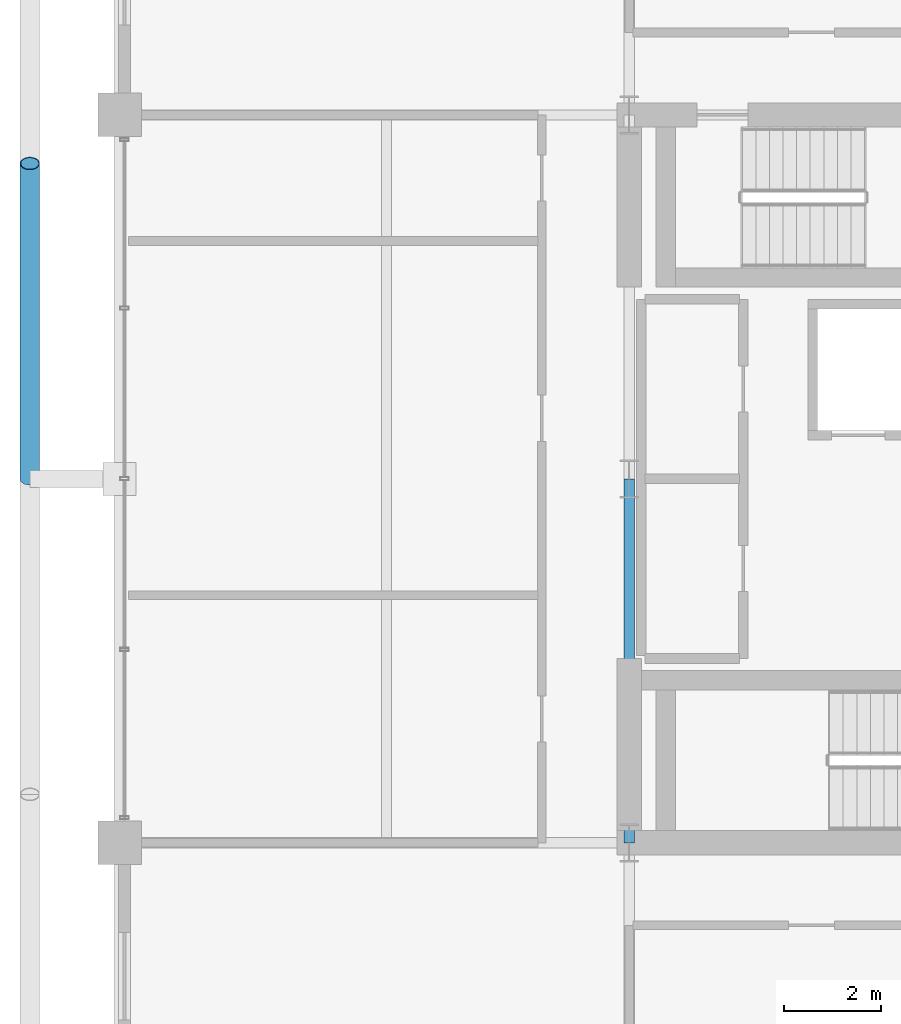
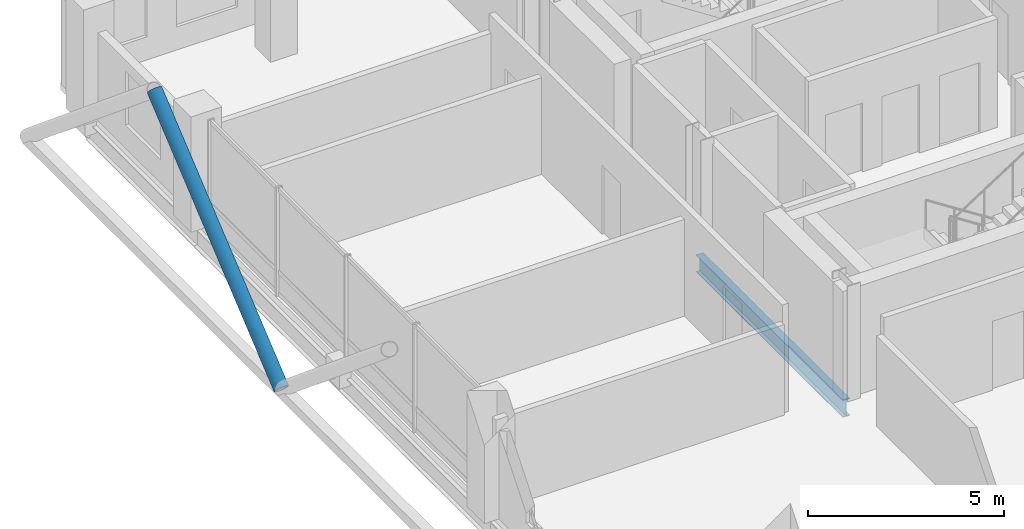
# One storey, part 9 of 24: 1 beam, 1 member.
"""IFC4 building model written with IfcOpenShell, lengths in metres."""

from ifc_helpers import new_model, si_unit, direction, frame, origin, origin_2d, place, context, subcontext, project, spatial, hollow_circle, i_section, extrude, material, material_profile, profile_set, type_object, element, save


model = new_model("IFC4")

# Units and contexts
model_context = context("Model", 3, precision=1e-05, world=origin(), true_north=direction((0.0, 1.0)))
body_context = subcontext(model_context, "Body", "Model", "MODEL_VIEW")
ifc_project = project(units=[si_unit("LENGTHUNIT", "METRE"), si_unit("AREAUNIT", "SQUARE_METRE"), si_unit("VOLUMEUNIT", "CUBIC_METRE"), si_unit("PLANEANGLEUNIT", "RADIAN"), si_unit("MASSUNIT", "GRAM", prefix="KILO")], contexts=[model_context])

# Site, building, storey
site_placement = place(None, origin())
site = spatial("IfcSite", under=ifc_project, at=site_placement, CompositionType="ELEMENT")
building_placement = place(site_placement, origin())
building = spatial("IfcBuilding", under=site, at=building_placement, Name="Barlavira Tower and Art Museum", CompositionType="ELEMENT")
storey_placement = place(building_placement, frame((0.0, 0.0, 272.699951171875)))
storey = spatial("IfcBuildingStorey", under=building, at=storey_placement, Name="L71", CompositionType="ELEMENT", Elevation=272.699951171875)

# Member
ifc_material = material(Name="Steel S355", Category="steel")
ifc_material_profile_1 = material_profile(ifc_material, hollow_circle(Radius=0.203125, WallThickness=0.01611328125, at=origin_2d()), Name="CHS 406.4x16.0")
ifc_profile_set_1 = profile_set([ifc_material_profile_1], Name="Steel S355")
member_type = type_object("IfcMemberType", Name="Pale-Metal Exoskeleton Diagrid Tube CHS 406x16 Steel S355", PredefinedType="BRACE", material=ifc_profile_set_1)
member_placement = place(storey_placement, frame((-18.85009765625, 0.0, -0.119873046875), z_axis=(0.0, 0.769196053329, 0.639012857104), x_axis=(-1.0, 0.0, 0.0)))
element("IfcMember", 1, at=member_placement, inside=storey, type_object=member_type, Name="L71 Exoskeleton Diagrid Tube W", PredefinedType="BRACE", context=body_context, shape_type="SweptSolid", body=[
    extrude(hollow_circle(Radius=0.203125, WallThickness=0.01611328125, at=origin_2d()), origin(), (0.0, 0.0, 1.0), 8.450439453125),
])

# Beam
ifc_material_profile_2 = material_profile(ifc_material, i_section(OverallWidth=0.2109375, OverallDepth=0.5390625, WebThickness=0.01171875, FlangeThickness=0.018798828125, at=origin_2d()), Name="W530x109.0")
ifc_profile_set_2 = profile_set([ifc_material_profile_2], Name="Steel S355")
beam_type = type_object("IfcBeamType", Name="Zone 3-4 Primary Floor Girder W530x109 Steel S355", PredefinedType="BEAM", material=ifc_profile_set_2)
beam_placement = place(storey_placement, frame((-6.5, -7.5, -0.489501953125), z_axis=(0.0, 1.0, 0.0), x_axis=(-1.0, 0.0, 0.0)))
element("IfcBeam", 2, at=beam_placement, inside=storey, type_object=beam_type, Name="L71 Girder C-W1", PredefinedType="BEAM", context=body_context, shape_type="SweptSolid", body=[
    extrude(i_section(OverallWidth=0.2109375, OverallDepth=0.5390625, WebThickness=0.01171875, FlangeThickness=0.018798828125, at=origin_2d()), origin(), (0.0, 0.0, 1.0), 7.5),
])

save(model, "model.ifc")
